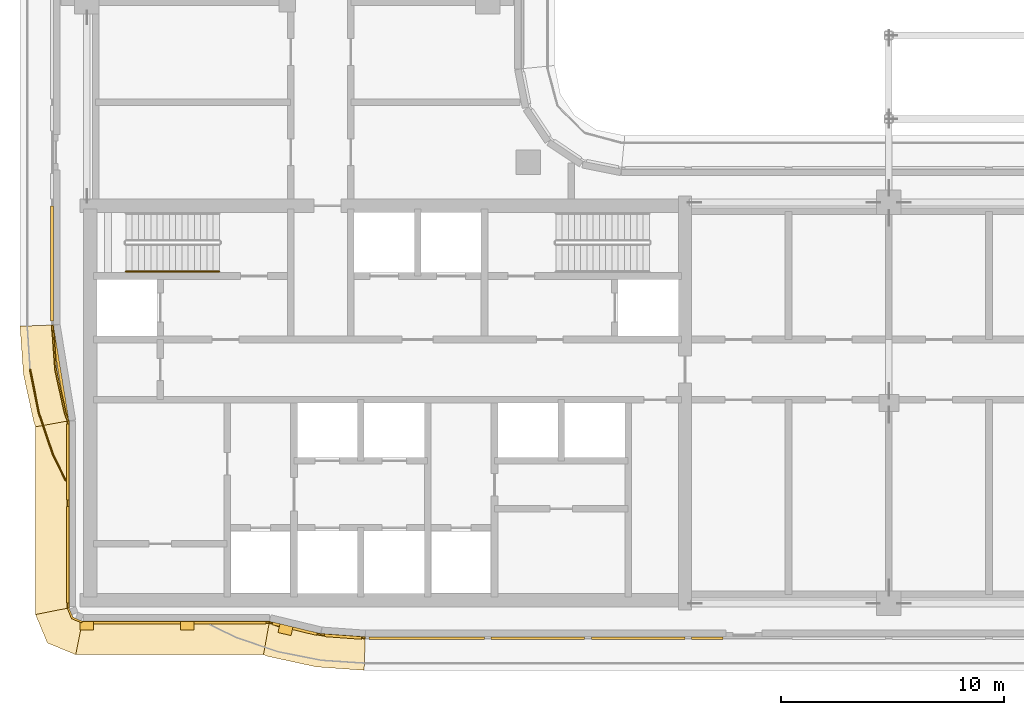
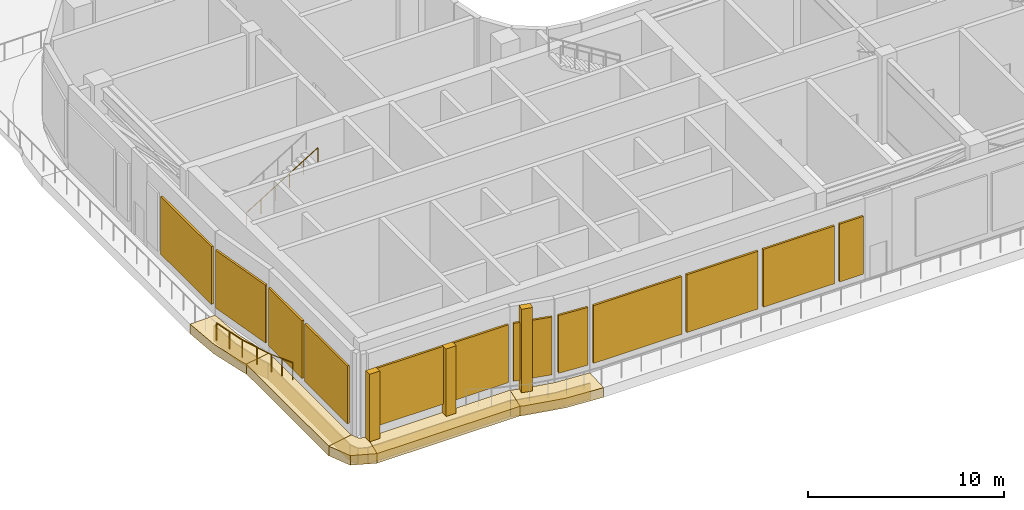
# One storey, part 12 of 18: 13 coverings, 12 shading devices, 2 railings.
"""IFC4 building model written with IfcOpenShell, lengths in metres."""

from ifc_helpers import new_model, si_unit, direction, frame, origin, origin_2d, place, context, subcontext, project, spatial, polyline, rectangle, circle, outline, extrude, material, layer, layer_set, type_object, element, save


model = new_model("IFC4")

# Units and contexts
model_context = context("Model", 3, precision=1e-05, world=origin(), true_north=direction((0.0, 1.0)))
body_context = subcontext(model_context, "Body", "Model", "MODEL_VIEW")
ifc_project = project(units=[si_unit("LENGTHUNIT", "METRE"), si_unit("AREAUNIT", "SQUARE_METRE"), si_unit("VOLUMEUNIT", "CUBIC_METRE"), si_unit("PLANEANGLEUNIT", "RADIAN"), si_unit("MASSUNIT", "GRAM", prefix="KILO")], contexts=[model_context])

# Site, building, storey
site_placement = place(None, origin())
site = spatial("IfcSite", under=ifc_project, at=site_placement, CompositionType="ELEMENT")
building_placement = place(site_placement, origin())
building = spatial("IfcBuilding", under=site, at=building_placement, Name="Ogive Portal Towers", CompositionType="ELEMENT")
storey_placement = place(building_placement, frame((0.0, 0.0, 190.300048828125)))
storey = spatial("IfcBuildingStorey", under=building, at=storey_placement, Name="L47", CompositionType="ELEMENT", Elevation=190.300048828125)

# Railings
ifc_material_1 = material(Name="Steel S355", Category="steel")
railing_type_1 = type_object("IfcRailingType", Name="BALUSTRADE GLASS 1100", PredefinedType="BALUSTRADE", material=ifc_material_1)
railing_1_placement = place(storey_placement, frame((30.550048828125, 27.02587890625, 0.0)))
element("IfcRailing", 1, at=railing_1_placement, inside=storey, type_object=railing_type_1, Name="UNDER STUB ROOF GUARD 2", PredefinedType="BALUSTRADE", context=body_context, shape_type="SweptSolid", body=[
    extrude(circle(Radius=0.02392578125, at=origin_2d()), frame((0.0, 0.0, 1.076171875), z_axis=(-0.441942395082, 0.897043432298, 0.0), x_axis=(-0.897043432298, -0.441942395082, 0.0)), (0.0, 0.0, 1.0), 1.298828125),
    extrude(circle(Radius=0.02392578125, at=origin_2d()), frame((-0.573974609375, 1.1650390625, 1.076171875), z_axis=(-0.321865263747, 0.94678548362, 0.0), x_axis=(-0.94678548362, -0.321865263747, 0.0)), (0.0, 0.0, 1.0), 1.98583984375),
    extrude(circle(Radius=0.02392578125, at=origin_2d()), frame((-1.213134765625, 3.045166015625, 1.076171875), z_axis=(-0.194839418528, 0.980835154849, 0.0), x_axis=(-0.980835154849, -0.194839418528, 0.0)), (0.0, 0.0, 1.0), 1.986083984375),
    extrude(circle(Radius=0.02099609375, at=origin_2d()), origin(), (0.0, 0.0, 1.0), 1.052001953125),
    extrude(circle(Radius=0.02099609375, at=origin_2d()), frame((-0.287109375, 0.58251953125, 0.0)), (0.0, 0.0, 1.0), 1.052001953125),
    extrude(circle(Radius=0.02099609375, at=origin_2d()), frame((-0.573974609375, 1.1650390625, 0.0)), (0.0, 0.0, 1.0), 1.052001953125),
    extrude(circle(Radius=0.02099609375, at=origin_2d()), frame((-0.8935546875, 2.10498046875, 0.0)), (0.0, 0.0, 1.0), 1.052001953125),
    extrude(circle(Radius=0.02099609375, at=origin_2d()), frame((-1.213134765625, 3.045166015625, 0.0)), (0.0, 0.0, 1.0), 1.052001953125),
    extrude(circle(Radius=0.02099609375, at=origin_2d()), frame((-1.40673828125, 4.01904296875, 0.0)), (0.0, 0.0, 1.0), 1.052001953125),
    extrude(circle(Radius=0.02099609375, at=origin_2d()), frame((-1.60009765625, 4.9931640625, 0.0)), (0.0, 0.0, 1.0), 1.052001953125),
])
ifc_material_2 = material(Name="Stainless steel handrail", Category="steel")
railing_type_2 = type_object("IfcRailingType", Name="INT-HANDRAIL", PredefinedType="HANDRAIL", material=ifc_material_2)
railing_2_placement = place(storey_placement, frame((33.25, 36.39990234375, 2.921875)))
element("IfcRailing", 2, at=railing_2_placement, inside=storey, type_object=railing_type_2, Name="L47 ST-A1 stair handrail 2", PredefinedType="HANDRAIL", context=body_context, shape_type="SweptSolid", body=[
    extrude(circle(Radius=0.02392578125, at=origin_2d()), frame((0.0, 0.0, 0.8759765625), z_axis=(0.852242915053, 0.0, 0.523146264196), x_axis=(0.0, 1.0, 0.0)), (0.0, 0.0, 1.0), 4.92822265625),
    extrude(circle(Radius=0.02099609375, at=origin_2d()), origin(), (0.0, 0.0, 1.0), 0.851806640625),
    extrude(circle(Radius=0.02099609375, at=origin_2d()), frame((0.840087890625, 0.0, 0.515625)), (0.0, 0.0, 1.0), 0.851806640625),
    extrude(circle(Radius=0.02099609375, at=origin_2d()), frame((1.679931640625, 0.0, 1.03125)), (0.0, 0.0, 1.0), 0.851806640625),
    extrude(circle(Radius=0.02099609375, at=origin_2d()), frame((2.52001953125, 0.0, 1.546875)), (0.0, 0.0, 1.0), 0.851806640625),
    extrude(circle(Radius=0.02099609375, at=origin_2d()), frame((3.35986328125, 0.0, 2.0625)), (0.0, 0.0, 1.0), 0.851806640625),
    extrude(circle(Radius=0.02099609375, at=origin_2d()), frame((4.199951171875, 0.0, 2.578125)), (0.0, 0.0, 1.0), 0.851806640625),
])

# Shading devices
ifc_material_3 = material(Name="Aluminium 6063 anodised", Category="aluminium")
ifc_layer_1 = layer(ifc_material_3, 0.1201171875)
ifc_layer_set_1 = layer_set([ifc_layer_1], Name="LOUVRE BANK ALUMINIUM")
shading_device_type = type_object("IfcShadingDeviceType", Name="LOUVRE BANK ALUMINIUM", PredefinedType="USERDEFINED", material=ifc_layer_set_1)
shading_device_1_placement = place(storey_placement, frame((30.639892578125, 27.849609375, 0.599853515625), z_axis=(0.0, 0.0, 1.0), x_axis=(0.0, -1.0, 0.0)))
element("IfcShadingDevice", 3, at=shading_device_1_placement, inside=storey, type_object=shading_device_type, Name="Louvre bank 1", ObjectType="LOUVRE", PredefinedType="USERDEFINED", context=body_context, shape_type="SweptSolid", body=[
    extrude(rectangle(XDim=3.3994140625, YDim=0.1201171875, at=origin_2d()), origin(), (0.0, 0.0, 1.0), 3.60009765625),
])
for number, where, z_axis, x_axis, name in (
    (4, (30.639892578125, 23.679931640625, 0.599853515625), (0.0, 0.0, 1.0), (0.0, -1.0, 0.0), "Louvre bank 2"),
    (5, (33.679931640625, 20.639892578125, 0.599853515625), (0.0, 0.0, 1.0), (1.0, 0.0, 0.0), "Louvre bank 1"),
):
    element("IfcShadingDevice", number, at=place(storey_placement, frame(where, z_axis=z_axis, x_axis=x_axis)), inside=storey, type_object=shading_device_type, Name=name, ObjectType="LOUVRE", PredefinedType="USERDEFINED", context=body_context, shape_type="SweptSolid", body=[
        extrude(rectangle(XDim=4.34033203125, YDim=0.1201171875, at=origin_2d()), origin(), (0.0, 0.0, 1.0), 3.60009765625),
    ])
shading_device_2_placement = place(storey_placement, frame((37.849609375, 20.639892578125, 0.599853515625), z_axis=(0.0, 0.0, 1.0), x_axis=(1.0, 0.0, 0.0)))
element("IfcShadingDevice", 6, at=shading_device_2_placement, inside=storey, type_object=shading_device_type, Name="Louvre bank 2", ObjectType="LOUVRE", PredefinedType="USERDEFINED", context=body_context, shape_type="SweptSolid", body=[
    extrude(rectangle(XDim=3.3994140625, YDim=0.1201171875, at=origin_2d()), origin(), (0.0, 0.0, 1.0), 3.60009765625),
])
shading_device_3_placement = place(storey_placement, frame((40.827392578125, 20.365966796875, 0.599853515625), z_axis=(0.0, 0.0, 1.0), x_axis=(0.972048056714, -0.234781974263, 0.0)))
element("IfcShadingDevice", 7, at=shading_device_3_placement, inside=storey, type_object=shading_device_type, Name="Louvre bank 1", ObjectType="LOUVRE", PredefinedType="USERDEFINED", context=body_context, shape_type="SweptSolid", body=[
    extrude(rectangle(XDim=2.049560546875, YDim=0.1201171875, at=origin_2d()), origin(), (0.0, 0.0, 1.0), 3.60009765625),
])
shading_device_4_placement = place(storey_placement, frame((43.006591796875, 20.010986328125, 0.599853515625), z_axis=(0.0, 0.0, 1.0), x_axis=(0.99745211461, -0.071339183201, 0.0)))
element("IfcShadingDevice", 8, at=shading_device_4_placement, inside=storey, type_object=shading_device_type, Name="Louvre bank 1", ObjectType="LOUVRE", PredefinedType="USERDEFINED", context=body_context, shape_type="SweptSolid", body=[
    extrude(rectangle(XDim=1.661865234375, YDim=0.1201171875, at=origin_2d()), origin(), (0.0, 0.0, 1.0), 3.60009765625),
])
shading_device_5_placement = place(storey_placement, frame((46.75537109375, 19.93994140625, 0.599853515625), z_axis=(0.0, 0.0, 1.0), x_axis=(1.0, 0.0, 0.0)))
element("IfcShadingDevice", 9, at=shading_device_5_placement, inside=storey, type_object=shading_device_type, Name="Louvre bank 1", ObjectType="LOUVRE", PredefinedType="USERDEFINED", context=body_context, shape_type="SweptSolid", body=[
    extrude(rectangle(XDim=5.189208984375, YDim=0.1201171875, at=origin_2d()), origin(), (0.0, 0.0, 1.0), 3.60009765625),
])
for number, where, z_axis, x_axis, name in (
    (10, (51.75, 19.93994140625, 0.599853515625), (0.0, 0.0, 1.0), (1.0, 0.0, 0.0), "Louvre bank 2"),
    (11, (56.25, 19.93994140625, 0.599853515625), (0.0, 0.0, 1.0), (1.0, 0.0, 0.0), "Louvre bank 3"),
):
    element("IfcShadingDevice", number, at=place(storey_placement, frame(where, z_axis=z_axis, x_axis=x_axis)), inside=storey, type_object=shading_device_type, Name=name, ObjectType="LOUVRE", PredefinedType="USERDEFINED", context=body_context, shape_type="SweptSolid", body=[
        extrude(rectangle(XDim=4.199951171875, YDim=0.1201171875, at=origin_2d()), origin(), (0.0, 0.0, 1.0), 3.60009765625),
    ])
shading_device_6_placement = place(storey_placement, frame((59.35009765625, 19.93994140625, 0.599853515625), z_axis=(0.0, 0.0, 1.0), x_axis=(1.0, 0.0, 0.0)))
element("IfcShadingDevice", 12, at=shading_device_6_placement, inside=storey, type_object=shading_device_type, Name="Louvre bank 4", ObjectType="LOUVRE", PredefinedType="USERDEFINED", context=body_context, shape_type="SweptSolid", body=[
    extrude(rectangle(XDim=1.39990234375, YDim=0.1201171875, at=origin_2d()), origin(), (0.0, 0.0, 1.0), 3.60009765625),
])
shading_device_7_placement = place(storey_placement, frame((29.93994140625, 36.76220703125, 0.599853515625), z_axis=(0.0, 0.0, 1.0), x_axis=(0.0, -1.0, 0.0)))
element("IfcShadingDevice", 13, at=shading_device_7_placement, inside=storey, type_object=shading_device_type, Name="Louvre bank 2", ObjectType="LOUVRE", PredefinedType="USERDEFINED", context=body_context, shape_type="SweptSolid", body=[
    extrude(rectangle(XDim=5.17578125, YDim=0.1201171875, at=origin_2d()), origin(), (0.0, 0.0, 1.0), 3.60009765625),
])
shading_device_8_placement = place(storey_placement, frame((30.292724609375, 31.828125, 0.599853515625), z_axis=(0.0, 0.0, 1.0), x_axis=(0.160654533408, -0.987010699484, 0.0)))
element("IfcShadingDevice", 14, at=shading_device_8_placement, inside=storey, type_object=shading_device_type, Name="Louvre bank 1", ObjectType="LOUVRE", PredefinedType="USERDEFINED", context=body_context, shape_type="SweptSolid", body=[
    extrude(rectangle(XDim=4.032958984375, YDim=0.1201171875, at=origin_2d()), origin(), (0.0, 0.0, 1.0), 3.60009765625),
])

# Coverings
ifc_material_4 = material(Name="Limestone cladding on lightweight block wall", Category="masonry")
ifc_layer_2 = layer(ifc_material_4, 0.39990234375)
ifc_layer_set_2 = layer_set([ifc_layer_2], Name="SPINE PIER STONE")
covering_type_1 = type_object("IfcCoveringType", Name="SPINE PIER STONE", PredefinedType="CLADDING", material=ifc_layer_set_2)
for number, where, z_axis, x_axis, name in (
    (15, (31.5, 20.5, 0.0), (0.0, 0.0, 1.0), (1.0, 0.0, 0.0), "SPINE PIER"),
    (16, (36.0, 20.5, 0.0), (0.0, 0.0, 1.0), (1.0, 0.0, 0.0), "SPINE PIER"),
):
    element("IfcCovering", number, at=place(storey_placement, frame(where, z_axis=z_axis, x_axis=x_axis)), inside=storey, type_object=covering_type_1, Name=name, PredefinedType="CLADDING", context=body_context, shape_type="SweptSolid", body=[
        extrude(rectangle(XDim=0.60009765625, YDim=0.39990234375, at=origin_2d()), origin(), (0.0, 0.0, 1.0), 4.199951171875),
    ])
covering_1_placement = place(storey_placement, frame((40.417724609375, 20.32080078125, 0.0), z_axis=(0.0, 0.0, 1.0), x_axis=(0.972047938929, -0.234782461918, 0.0)))
element("IfcCovering", 17, at=covering_1_placement, inside=storey, type_object=covering_type_1, Name="SPINE PIER", PredefinedType="CLADDING", context=body_context, shape_type="SweptSolid", body=[
    extrude(rectangle(XDim=0.60009765625, YDim=0.39990234375, at=origin_2d()), origin(), (0.0, 0.0, 1.0), 5.199951171875),
])
ifc_layer_3 = layer(ifc_material_4, 0.080078125)
ifc_layer_set_3 = layer_set([ifc_layer_3], Name="STONE SPANDREL 80")
covering_type_2 = type_object("IfcCoveringType", Name="STONE SPANDREL 80", PredefinedType="CLADDING", material=ifc_layer_set_3)
covering_2_placement = place(storey_placement, frame((0.0, 0.0, -1.60009765625)))
element("IfcCovering", 18, at=covering_2_placement, inside=storey, type_object=covering_type_2, Name="Stone spandrel A1-F01", PredefinedType="CLADDING", context=body_context, shape_type="SweptSolid", body=[
    extrude(outline(polyline([(30.699951171875, 29.699462890625), (30.699951171875, 21.300048828125), (30.6201171875, 21.2841796875), (30.6201171875, 29.68505859375), (30.699951171875, 29.699462890625)])), origin(), (0.0, 0.0, 1.0), 1.0),
])
covering_3_placement = place(storey_placement, frame((0.0, 0.0, -1.60009765625)))
element("IfcCovering", 19, at=covering_3_placement, inside=storey, type_object=covering_type_2, Name="Stone spandrel A1-F02", PredefinedType="CLADDING", context=body_context, shape_type="SweptSolid", body=[
    extrude(outline(polyline([(30.699951171875, 21.300048828125), (30.875732421875, 20.875732421875), (31.300048828125, 20.699951171875), (31.2841796875, 20.6201171875), (30.814453125, 20.814453125), (30.6201171875, 21.2841796875), (30.699951171875, 21.300048828125)])), origin(), (0.0, 0.0, 1.0), 1.0),
])
covering_4_placement = place(storey_placement, frame((0.0, 0.0, -1.60009765625)))
element("IfcCovering", 20, at=covering_4_placement, inside=storey, type_object=covering_type_2, Name="Stone spandrel A1-F03", PredefinedType="CLADDING", context=body_context, shape_type="SweptSolid", body=[
    extrude(outline(polyline([(31.300048828125, 20.699951171875), (39.699462890625, 20.699951171875), (39.68505859375, 20.6201171875), (31.2841796875, 20.6201171875), (31.300048828125, 20.699951171875)])), origin(), (0.0, 0.0, 1.0), 1.0),
])
covering_5_placement = place(storey_placement, frame((0.0, 0.0, -1.60009765625)))
element("IfcCovering", 21, at=covering_5_placement, inside=storey, type_object=covering_type_2, Name="Stone spandrel A1-F04", PredefinedType="CLADDING", context=body_context, shape_type="SweptSolid", body=[
    extrude(outline(polyline([(39.699462890625, 20.699951171875), (40.0556640625, 20.567138671875), (42.007568359375, 20.142578125), (44.0, 20.0), (43.9970703125, 19.919921875), (41.99609375, 20.063232421875), (40.033203125, 20.490234375), (39.68505859375, 20.6201171875), (39.699462890625, 20.699951171875)])), origin(), (0.0, 0.0, 1.0), 1.0),
])
covering_6_placement = place(storey_placement, frame((0.0, 0.0, -1.60009765625)))
element("IfcCovering", 22, at=covering_6_placement, inside=storey, type_object=covering_type_2, Name="Stone spandrel A1-F14", PredefinedType="CLADDING", context=body_context, shape_type="SweptSolid", body=[
    extrude(outline(polyline([(30.0, 34.0), (30.142578125, 32.007568359375), (30.567138671875, 30.0556640625), (30.699951171875, 29.699462890625), (30.6201171875, 29.68505859375), (30.490234375, 30.033203125), (30.063232421875, 31.99609375), (29.919921875, 33.9970703125), (30.0, 34.0)])), origin(), (0.0, 0.0, 1.0), 1.0),
])
ifc_layer_4 = layer(ifc_material_4, 0.60009765625)
ifc_layer_set_4 = layer_set([ifc_layer_4], Name="SUNSHADE LIP 600")
covering_type_3 = type_object("IfcCoveringType", Name="SUNSHADE LIP 600", PredefinedType="CLADDING", material=ifc_layer_set_4)
covering_7_placement = place(storey_placement, frame((0.0, 0.0, -0.60009765625)))
element("IfcCovering", 23, at=covering_7_placement, inside=storey, type_object=covering_type_3, Name="Sunshade lip A1-F01", PredefinedType="CLADDING", context=body_context, shape_type="SweptSolid", body=[
    extrude(outline(polyline([(30.699951171875, 29.699462890625), (30.699951171875, 21.300048828125), (29.199951171875, 21.001708984375), (29.199951171875, 29.4287109375), (30.699951171875, 29.699462890625)])), origin(), (0.0, 0.0, 1.0), 0.60009765625),
])
covering_8_placement = place(storey_placement, frame((0.0, 0.0, -0.60009765625)))
element("IfcCovering", 24, at=covering_8_placement, inside=storey, type_object=covering_type_3, Name="Sunshade lip A1-F02", PredefinedType="CLADDING", context=body_context, shape_type="SweptSolid", body=[
    extrude(outline(polyline([(30.699951171875, 21.300048828125), (30.875732421875, 20.875732421875), (31.300048828125, 20.699951171875), (31.001708984375, 19.199951171875), (29.727783203125, 19.727783203125), (29.199951171875, 21.001708984375), (30.699951171875, 21.300048828125)])), origin(), (0.0, 0.0, 1.0), 0.60009765625),
])
covering_9_placement = place(storey_placement, frame((0.0, 0.0, -0.60009765625)))
element("IfcCovering", 25, at=covering_9_placement, inside=storey, type_object=covering_type_3, Name="Sunshade lip A1-F03", PredefinedType="CLADDING", context=body_context, shape_type="SweptSolid", body=[
    extrude(outline(polyline([(31.300048828125, 20.699951171875), (39.699462890625, 20.699951171875), (39.4287109375, 19.199951171875), (31.001708984375, 19.199951171875), (31.300048828125, 20.699951171875)])), origin(), (0.0, 0.0, 1.0), 0.60009765625),
])
covering_10_placement = place(storey_placement, frame((0.0, 0.0, -0.60009765625)))
element("IfcCovering", 26, at=covering_10_placement, inside=storey, type_object=covering_type_3, Name="Sunshade lip A1-F04", PredefinedType="CLADDING", context=body_context, shape_type="SweptSolid", body=[
    extrude(outline(polyline([(39.699462890625, 20.699951171875), (40.0556640625, 20.567138671875), (42.007568359375, 20.142578125), (44.0, 20.0), (43.946533203125, 18.5), (41.79345703125, 18.654052734375), (39.632080078125, 19.124267578125), (39.4287109375, 19.199951171875), (39.699462890625, 20.699951171875)])), origin(), (0.0, 0.0, 1.0), 0.60009765625),
])
covering_11_placement = place(storey_placement, frame((0.0, 0.0, -0.60009765625)))
element("IfcCovering", 27, at=covering_11_placement, inside=storey, type_object=covering_type_3, Name="Sunshade lip A1-F14", PredefinedType="CLADDING", context=body_context, shape_type="SweptSolid", body=[
    extrude(outline(polyline([(30.0, 34.0), (30.142578125, 32.007568359375), (30.567138671875, 30.0556640625), (30.699951171875, 29.699462890625), (29.199951171875, 29.4287109375), (29.124267578125, 29.632080078125), (28.654052734375, 31.79345703125), (28.5, 33.946533203125), (30.0, 34.0)])), origin(), (0.0, 0.0, 1.0), 0.60009765625),
])

save(model, "model.ifc")
